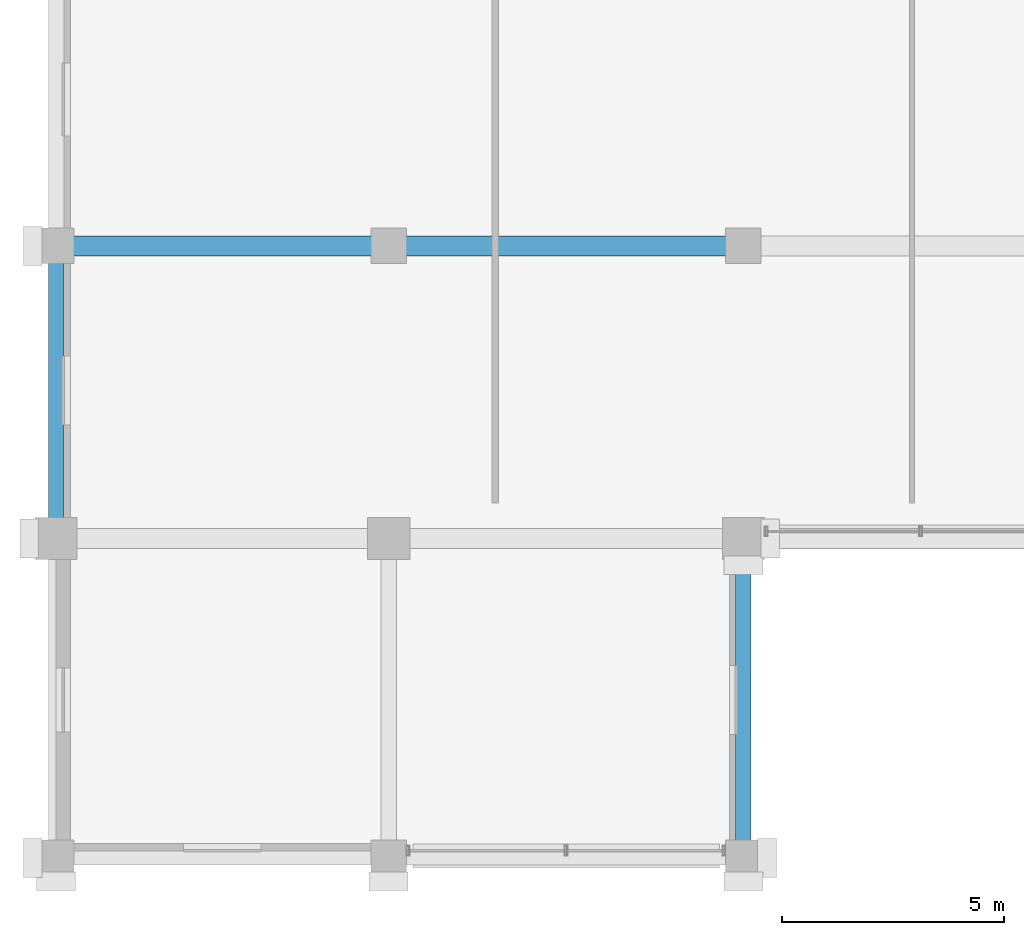
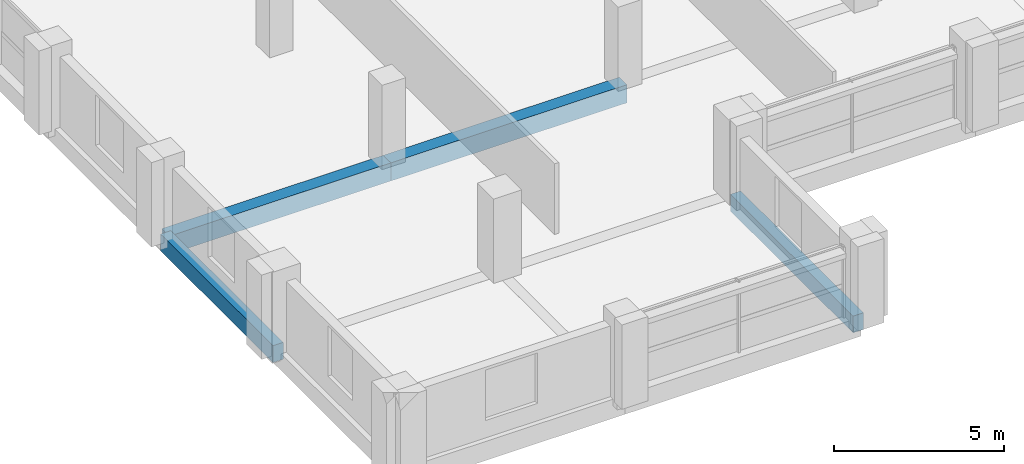
# One storey, part 3 of 23: 4 beams.
"""IFC4 building model written with IfcOpenShell, lengths in metres."""

import ifcopenshell
import ifcopenshell.guid

model = None  # the IFC model being written
_history = None  # IfcOwnerHistory: only IFC2X3 demands one
_inside = {}  # id of a spatial element -> (the spatial element, [elements in it])
_under = {}  # id of a project, library or spatial element -> (it, [spatial elements below it])
_declared = {}  # id of a project -> (the project, [libraries it declares])
_typed = {}  # id of a type object -> (the type object, [elements of that type])
_made_of = {}  # id of a material, layer set ... -> (it, [elements and type objects made of it])


def new_model(schema):
    """Start an empty IFC model of exactly this schema.

    Asked for "IFC4X3", IfcOpenShell would pick the latest addendum, in which some entities
    have other attributes; the version numbers below select the first issue.
    IFC2X3 requires an IfcOwnerHistory on every rooted entity: one is made here for all.
    """
    global model, _history
    if schema == "IFC4X3":
        model = ifcopenshell.file(schema_version=(4, 3, 0, 0))
    else:
        model = ifcopenshell.file(schema=schema)
    _inside.clear()
    _under.clear()
    _declared.clear()
    _typed.clear()
    _made_of.clear()
    _history = None
    if model.schema == "IFC2X3":
        org = make("IfcOrganization", Name="unknown")
        user = make(
            "IfcPersonAndOrganization",
            ThePerson=make("IfcPerson", FamilyName="unknown"),
            TheOrganization=org,
        )
        app = make(
            "IfcApplication",
            ApplicationDeveloper=org,
            Version="unknown",
            ApplicationFullName="unknown",
            ApplicationIdentifier="unknown",
        )
        _history = make(
            "IfcOwnerHistory",
            OwningUser=user,
            OwningApplication=app,
            ChangeAction="ADDED",
            CreationDate=0,
        )
    return model


def make(cls, **values):
    """One entity of the class cls with the attributes given. An attribute that is None is left unset."""
    return model.create_entity(
        cls, **{name: value for name, value in values.items() if value is not None}
    )


def rooted(cls, **values):
    """An entity with a GlobalId (a new one), such as an element, a storey or a relation."""
    return make(cls, GlobalId=ifcopenshell.guid.new(), OwnerHistory=_history, **values)


def si_unit(unit_type, name, prefix=None):
    """IfcSIUnit, for example si_unit("LENGTHUNIT", "METRE", prefix="MILLI")."""
    return make("IfcSIUnit", UnitType=unit_type, Prefix=prefix, Name=name)


def assignment(units):
    """IfcUnitAssignment: the units of a project."""
    return None if units is None else make("IfcUnitAssignment", Units=units)


def point(xyz):
    """IfcCartesianPoint."""
    return None if xyz is None else make("IfcCartesianPoint", Coordinates=xyz)


def direction(xyz):
    """IfcDirection."""
    return None if xyz is None else make("IfcDirection", DirectionRatios=xyz)


def frame(location, z_axis=None, x_axis=None):
    """IfcAxis2Placement3D, a coordinate frame: its origin and axes. An axis left out is left unset."""
    return make(
        "IfcAxis2Placement3D",
        Location=point(location),
        Axis=direction(z_axis),
        RefDirection=direction(x_axis),
    )


def frame_2d(location, x_axis=None):
    """IfcAxis2Placement2D, a coordinate frame in the plane: its origin and x axis."""
    return make(
        "IfcAxis2Placement2D", Location=point(location), RefDirection=direction(x_axis)
    )


def origin():
    """The frame at (0, 0, 0) with its axes left unset."""
    return frame((0.0, 0.0, 0.0))


def origin_2d():
    """The frame at (0, 0) in the plane with its x axis left unset."""
    return frame_2d((0.0, 0.0))


def place(relative_to, where):
    """IfcLocalPlacement: puts the frame where relative to a parent placement (None: the world)."""
    return make(
        "IfcLocalPlacement", PlacementRelTo=relative_to, RelativePlacement=where
    )


def context(
    kind, dimensions, precision=None, world=None, true_north=None, identifier=None
):
    """IfcGeometricRepresentationContext, for example the 3D "Model" context."""
    return make(
        "IfcGeometricRepresentationContext",
        ContextIdentifier=identifier,
        ContextType=kind,
        CoordinateSpaceDimension=dimensions,
        Precision=precision,
        WorldCoordinateSystem=world,
        TrueNorth=true_north,
    )


def subcontext(parent, identifier, kind, view, scale=None):
    """IfcGeometricRepresentationSubContext, for example "Body" below "Model"."""
    return make(
        "IfcGeometricRepresentationSubContext",
        ContextIdentifier=identifier,
        ContextType=kind,
        ParentContext=parent,
        TargetScale=scale,
        TargetView=view,
    )


def project(units=None, contexts=None):
    """IfcProject with its units and contexts."""
    return rooted(
        "IfcProject",
        Name="project",
        RepresentationContexts=contexts,
        UnitsInContext=assignment(units),
    )


def spatial(cls, under=None, at=None, **own):
    """A site, building, storey or space (cls), placed at a placement, below another one or the project."""
    s = rooted(cls, ObjectPlacement=at, **own)
    if under is not None:
        _under.setdefault(under.id(), (under, []))[1].append(s)
    return s


def profile(cls, at=None, kind="AREA", **sizes):
    """A parametric profile (cls). Its sizes go by their IFC names, for example OverallWidth=200.0."""
    return make(cls, ProfileType=kind, Position=at, **sizes)


def rectangle(**sizes):
    """IfcRectangleProfileDef."""
    return profile("IfcRectangleProfileDef", **sizes)


def extrude(swept, where, along, depth):
    """IfcExtrudedAreaSolid: the profile swept, set in the frame where, extruded along a direction by depth."""
    return make(
        "IfcExtrudedAreaSolid",
        SweptArea=swept,
        Position=where,
        ExtrudedDirection=direction(along),
        Depth=depth,
    )


def shape(context_of_items, identifier, shape_type, items):
    """IfcShapeRepresentation: the items that make up one representation, for example the "Body"."""
    return make(
        "IfcShapeRepresentation",
        ContextOfItems=context_of_items,
        RepresentationIdentifier=identifier,
        RepresentationType=shape_type,
        Items=items,
    )


def material(Name=None, Category=None):
    """IfcMaterial."""
    return make("IfcMaterial", Name=Name, Category=Category)


def material_profile(
    of_material, cross_section, Name=None, Category=None, Priority=None
):
    """IfcMaterialProfile: a cross section and its material."""
    return make(
        "IfcMaterialProfile",
        Name=Name,
        Material=of_material,
        Profile=cross_section,
        Priority=Priority,
        Category=Category,
    )


def profile_set(profiles, Name=None, composite=None):
    """IfcMaterialProfileSet."""
    return make(
        "IfcMaterialProfileSet",
        Name=Name,
        MaterialProfiles=profiles,
        CompositeProfile=composite,
    )


def made_of(thing, what):
    """Note that an element or type object is made of a material, layer set ...; save() writes the relation."""
    if what is not None:
        _made_of.setdefault(what.id(), (what, []))[1].append(thing)
    return thing


def type_object(cls, material=None, **own):
    """A type object (cls), such as IfcWallType, which elements share."""
    return made_of(rooted(cls, **own), material)


def element(
    cls,
    number,
    at=None,
    inside=None,
    cuts=None,
    type_object=None,
    material=None,
    context=None,
    identifier="Body",
    shape_type=None,
    held_by="IfcProductDefinitionShape",
    body=None,
    shapes=None,
    **own,
):
    """One element of the class cls, such as IfcWall. Its Tag is "e" and its number.

    at: its placement. inside: the storey or other place that contains it. cuts: it is an
    opening in that element (IfcRelVoidsElement). A single representation is given by context,
    identifier, shape_type and body (its items); several are given by shapes. held_by: the class
    of the entity that holds the representations. save() writes the other relations.
    """
    e = rooted(cls, Tag="e%d" % number, ObjectPlacement=at, **own)
    if body is not None:
        shapes = [shape(context, identifier, shape_type, body)]
    if shapes is not None:
        e.Representation = make(held_by, Representations=shapes)
    if inside is not None:
        _inside.setdefault(inside.id(), (inside, []))[1].append(e)
    if cuts is not None:
        rooted(
            "IfcRelVoidsElement", RelatingBuildingElement=cuts, RelatedOpeningElement=e
        )
    if type_object is not None:
        _typed.setdefault(type_object.id(), (type_object, []))[1].append(e)
    return made_of(e, material)


def aggregate(whole, parts):
    """IfcRelAggregates: a whole, such as a stair, and the parts it consists of."""
    return rooted("IfcRelAggregates", RelatingObject=whole, RelatedObjects=parts)


def save(model, path):
    """Write the relations noted so far, then the file.

    IfcRelAggregates (storeys below a building ...), IfcRelContainedInSpatialStructure (elements
    in a storey), IfcRelDefinesByType, IfcRelAssociatesMaterial and IfcRelDeclares: one each for
    every whole, place, type object, material and project.
    """
    for whole, parts in _under.values():
        aggregate(whole, parts)
    for where, things in _inside.values():
        rooted(
            "IfcRelContainedInSpatialStructure",
            RelatedElements=things,
            RelatingStructure=where,
        )
    for kind, things in _typed.values():
        rooted("IfcRelDefinesByType", RelatedObjects=things, RelatingType=kind)
    for what, things in _made_of.values():
        rooted("IfcRelAssociatesMaterial", RelatedObjects=things, RelatingMaterial=what)
    for by, libraries in _declared.values():
        rooted("IfcRelDeclares", RelatingContext=by, RelatedDefinitions=libraries)
    model.write(path)


model = new_model("IFC4")

# Units and contexts
model_context = context("Model", 3, precision=1e-05, world=origin(), true_north=direction((0.0, 1.0)))
body_context = subcontext(model_context, "Body", "Model", "MODEL_VIEW")
ifc_project = project(units=[si_unit("LENGTHUNIT", "METRE"), si_unit("AREAUNIT", "SQUARE_METRE"), si_unit("VOLUMEUNIT", "CUBIC_METRE"), si_unit("PLANEANGLEUNIT", "RADIAN"), si_unit("MASSUNIT", "GRAM", prefix="KILO")], contexts=[model_context])

# Site, building, storey
site_placement = place(None, origin())
site = spatial("IfcSite", under=ifc_project, at=site_placement, CompositionType="ELEMENT")
building_placement = place(site_placement, origin())
building = spatial("IfcBuilding", under=site, at=building_placement, Name="Akrevak Sports Hall", CompositionType="ELEMENT")
storey_placement = place(building_placement, frame((0.0, 0.0, 43.800048828125)))
storey = spatial("IfcBuildingStorey", under=building, at=storey_placement, Name="L10", CompositionType="ELEMENT", Elevation=43.800048828125)

# Beams
ifc_material = material(Name="Concrete C40/50", Category="concrete")
ifc_material_profile_1 = material_profile(ifc_material, rectangle(XDim=0.35009765625, YDim=0.60009765625, at=origin_2d()), Name="BM 350x600", Category="concrete")
ifc_profile_set_1 = profile_set([ifc_material_profile_1], Name="Concrete C40/50")
beam_type_1 = type_object("IfcBeamType", Name="STR-BM-RC350x600", PredefinedType="BEAM", material=ifc_profile_set_1)
beam_1_placement = place(storey_placement, frame((52.5, 28.800048828125, -0.300048828125), z_axis=(0.0, 1.0, 0.0), x_axis=(-1.0, 0.0, 0.0)))
element("IfcBeam", 1, at=beam_1_placement, inside=storey, type_object=beam_type_1, Name="Girder 8/E-F (L10)", PredefinedType="BEAM", context=body_context, shape_type="SweptSolid", body=[
    extrude(rectangle(XDim=0.35009765625, YDim=0.60009765625, at=origin_2d()), origin(), (0.0, 0.0, 1.0), 6.599853515625),
])
beam_2_placement = place(storey_placement, frame((68.0, 21.60009765625, -0.300048828125), z_axis=(0.0, 1.0, 0.0), x_axis=(-1.0, 0.0, 0.0)))
element("IfcBeam", 2, at=beam_2_placement, inside=storey, type_object=beam_type_1, Name="Girder 10/D-E (L10)", PredefinedType="BEAM", context=body_context, shape_type="SweptSolid", body=[
    extrude(rectangle(XDim=0.35009765625, YDim=0.60009765625, at=origin_2d()), origin(), (0.0, 0.0, 1.0), 7.199951171875),
])
ifc_material_profile_2 = material_profile(ifc_material, rectangle(XDim=0.449951171875, YDim=0.64990234375, at=origin_2d()), Name="BM 450x650", Category="concrete")
ifc_profile_set_2 = profile_set([ifc_material_profile_2], Name="Concrete C40/50")
beam_type_2 = type_object("IfcBeamType", Name="STR-BM-RC450x650", PredefinedType="BEAM", material=ifc_profile_set_2)
beam_3_placement = place(storey_placement, frame((52.5, 35.39990234375, -0.324951171875), z_axis=(1.0, 0.0, 0.0), x_axis=(0.0, 1.0, 0.0)))
element("IfcBeam", 3, at=beam_3_placement, inside=storey, type_object=beam_type_2, Name="Girder F/8-9 (L10)", PredefinedType="BEAM", context=body_context, shape_type="SweptSolid", body=[
    extrude(rectangle(XDim=0.449951171875, YDim=0.64990234375, at=origin_2d()), origin(), (0.0, 0.0, 1.0), 7.5),
])
beam_4_placement = place(storey_placement, frame((60.0, 35.39990234375, -0.324951171875), z_axis=(1.0, 0.0, 0.0), x_axis=(0.0, 1.0, 0.0)))
element("IfcBeam", 4, at=beam_4_placement, inside=storey, type_object=beam_type_2, Name="Girder F/9-10 (L10)", PredefinedType="BEAM", context=body_context, shape_type="SweptSolid", body=[
    extrude(rectangle(XDim=0.449951171875, YDim=0.64990234375, at=origin_2d()), origin(), (0.0, 0.0, 1.0), 8.0),
])

save(model, "model.ifc")
